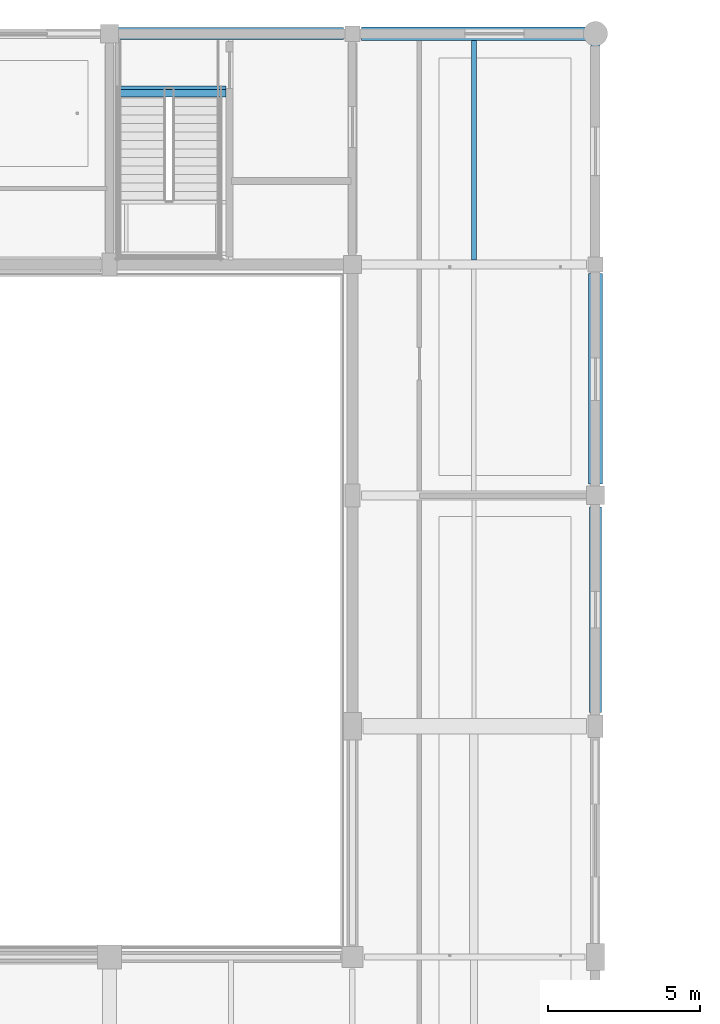
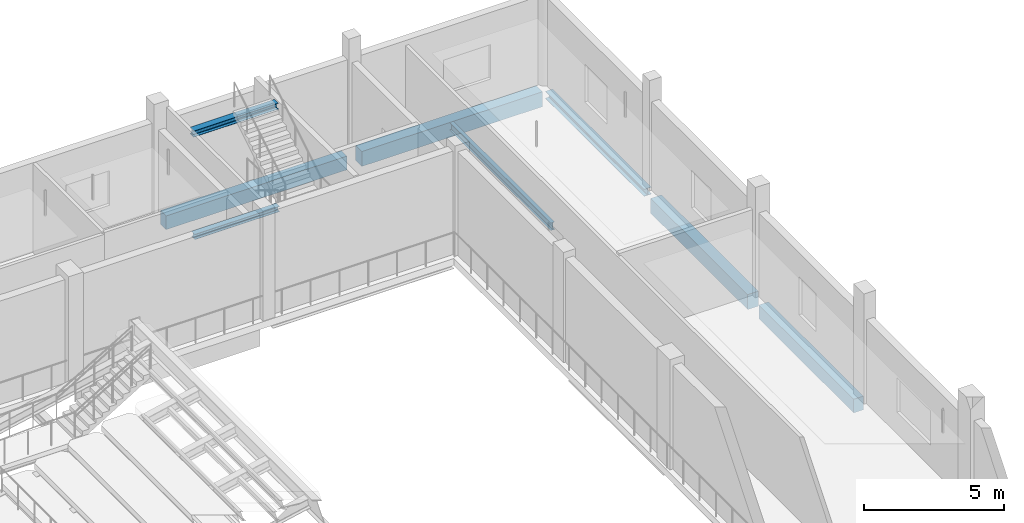
# One storey, part 37 of 147: 8 beams.
"""IFC4 building model written with IfcOpenShell, lengths in metres."""

from ifc_helpers import new_model, si_unit, direction, frame, origin, origin_2d, place, context, subcontext, project, spatial, rectangle, i_section, extrude, material, material_profile, profile_set, type_object, element, save


model = new_model("IFC4")

# Units and contexts
model_context = context("Model", 3, precision=1e-05, world=origin(), true_north=direction((0.0, 1.0)))
body_context = subcontext(model_context, "Body", "Model", "MODEL_VIEW")
ifc_project = project(units=[si_unit("LENGTHUNIT", "METRE"), si_unit("AREAUNIT", "SQUARE_METRE"), si_unit("VOLUMEUNIT", "CUBIC_METRE"), si_unit("PLANEANGLEUNIT", "RADIAN"), si_unit("MASSUNIT", "GRAM", prefix="KILO")], contexts=[model_context])

# Site, building, storey
site_placement = place(None, origin())
site = spatial("IfcSite", under=ifc_project, at=site_placement, CompositionType="ELEMENT")
building_placement = place(site_placement, origin())
building = spatial("IfcBuilding", under=site, at=building_placement, Name="Khelvaren Railside Concert Hall", CompositionType="ELEMENT")
storey_placement = place(building_placement, frame((0.0, 0.0, 5.39990234375)))
storey = spatial("IfcBuildingStorey", under=building, at=storey_placement, Name="L01", CompositionType="ELEMENT", Elevation=5.39990234375)

# Beams
ifc_material_1 = material(Name="Steel S355", Category="steel")
ifc_material_profile_1 = material_profile(ifc_material_1, i_section(OverallWidth=0.239990234375, OverallDepth=0.22998046875, WebThickness=0.007568359375, FlangeThickness=0.011962890625, FilletRadius=0.02099609375, at=origin_2d()), Name="HEA 240")
ifc_profile_set_1 = profile_set([ifc_material_profile_1], Name="Steel S355")
beam_type_1 = type_object("IfcBeamType", Name="BM42", PredefinedType="BEAM", material=ifc_profile_set_1)
beam_1_placement = place(storey_placement, frame((32.344970703125, 112.039306640625, -0.114990234375), z_axis=(1.0, 0.0, 0.0), x_axis=(0.0, 1.0, 0.0)))
element("IfcBeam", 1, at=beam_1_placement, inside=storey, type_object=beam_type_1, Name="ST-08 L01 Stair Foot Trimmer Beam", PredefinedType="BEAM", context=body_context, shape_type="SweptSolid", body=[
    extrude(i_section(OverallWidth=0.239990234375, OverallDepth=0.22998046875, WebThickness=0.007568359375, FlangeThickness=0.011962890625, FilletRadius=0.02099609375, at=origin_2d()), origin(), (0.0, 0.0, 1.0), 3.4951171875),
])
ifc_material_profile_2 = material_profile(ifc_material_1, i_section(OverallWidth=0.280029296875, OverallDepth=0.27001953125, WebThickness=0.008056640625, FlangeThickness=0.012939453125, FilletRadius=0.02392578125, at=origin_2d()), Name="HEA 280")
ifc_profile_set_2 = profile_set([ifc_material_profile_2], Name="Steel S355")
beam_type_2 = type_object("IfcBeamType", Name="BM93", PredefinedType="BEAM", material=ifc_profile_set_2)
beam_2_placement = place(storey_placement, frame((32.344970703125, 112.139892578125, 4.31787109375), z_axis=(1.0, 0.0, 0.0), x_axis=(0.0, 1.0, 0.0)))
element("IfcBeam", 2, at=beam_2_placement, inside=storey, type_object=beam_type_2, Name="ST-08 L01 Stair Top Arrival Trimmer Beam", PredefinedType="BEAM", context=body_context, shape_type="SweptSolid", body=[
    extrude(i_section(OverallWidth=0.280029296875, OverallDepth=0.27001953125, WebThickness=0.008056640625, FlangeThickness=0.012939453125, FilletRadius=0.02392578125, at=origin_2d()), origin(), (0.0, 0.0, 1.0), 3.4951171875),
])
ifc_material_profile_3 = material_profile(ifc_material_1, i_section(OverallWidth=0.159912109375, OverallDepth=0.330078125, WebThickness=0.007568359375, FlangeThickness=0.011474609375, FilletRadius=0.01806640625, at=origin_2d()), Name="IPE 330")
ifc_profile_set_3 = profile_set([ifc_material_profile_3], Name="Steel S355")
beam_type_3 = type_object("IfcBeamType", Name="JS65", PredefinedType="JOIST", material=ifc_profile_set_3)
beam_3_placement = place(storey_placement, frame((44.0, 106.550048828125, -0.46484375), z_axis=(0.0, 1.0, 0.0), x_axis=(-1.0, 0.0, 0.0)))
element("IfcBeam", 3, at=beam_3_placement, inside=storey, type_object=beam_type_3, Name="V4 L01 Secondary Joist 6.6", PredefinedType="JOIST", context=body_context, shape_type="SweptSolid", body=[
    extrude(i_section(OverallWidth=0.159912109375, OverallDepth=0.330078125, WebThickness=0.007568359375, FlangeThickness=0.011474609375, FilletRadius=0.01806640625, at=origin_2d()), origin(), (0.0, 0.0, 1.0), 7.224853515625),
])
ifc_material_2 = material(Name="Concrete C40/50", Category="concrete")
ifc_material_profile_4 = material_profile(ifc_material_2, rectangle(XDim=0.449951171875, YDim=0.64990234375, at=origin_2d()), Name="RCB 450x650")
ifc_profile_set_4 = profile_set([ifc_material_profile_4], Name="Concrete C40/50")
beam_type_4 = type_object("IfcBeamType", Name="SP34", PredefinedType="SPANDREL", material=ifc_profile_set_4)
beam_4_placement = place(storey_placement, frame((40.300048828125, 114.0, -0.625), z_axis=(1.0, 0.0, 0.0), x_axis=(0.0, 1.0, 0.0)))
element("IfcBeam", 4, at=beam_4_placement, inside=storey, type_object=beam_type_4, Name="V4 L01 Spandrel X7.6", PredefinedType="SPANDREL", context=body_context, shape_type="SweptSolid", body=[
    extrude(rectangle(XDim=0.449951171875, YDim=0.64990234375, at=origin_2d()), origin(), (0.0, 0.0, 1.0), 7.449951171875),
])
beam_5_placement = place(storey_placement, frame((48.0, 99.175048828125, -0.625), z_axis=(0.0, 1.0, 0.0), x_axis=(-1.0, 0.0, 0.0)))
element("IfcBeam", 5, at=beam_5_placement, inside=storey, type_object=beam_type_4, Name="V4 L01 Spandrel Y7.5", PredefinedType="SPANDREL", context=body_context, shape_type="SweptSolid", body=[
    extrude(rectangle(XDim=0.449951171875, YDim=0.64990234375, at=origin_2d()), origin(), (0.0, 0.0, 1.0), 6.925048828125),
])
ifc_material_profile_5 = material_profile(ifc_material_1, i_section(OverallWidth=0.300048828125, OverallDepth=0.31005859375, WebThickness=0.009033203125, FlangeThickness=0.015380859375, FilletRadius=0.027099609375, at=origin_2d()), Name="HEA 320")
ifc_profile_set_5 = profile_set([ifc_material_profile_5], Name="Steel S355")
beam_type_5 = type_object("IfcBeamType", Name="SP66", PredefinedType="SPANDREL", material=ifc_profile_set_5)
beam_6_placement = place(storey_placement, frame((48.0, 106.699951171875, -0.454833984375), z_axis=(0.0, 1.0, 0.0), x_axis=(-1.0, 0.0, 0.0)))
element("IfcBeam", 6, at=beam_6_placement, inside=storey, type_object=beam_type_5, Name="V4 L01 Spandrel Y7.6", PredefinedType="SPANDREL", context=body_context, shape_type="SweptSolid", body=[
    extrude(i_section(OverallWidth=0.300048828125, OverallDepth=0.31005859375, WebThickness=0.009033203125, FlangeThickness=0.015380859375, FilletRadius=0.027099609375, at=origin_2d()), origin(), (0.0, 0.0, 1.0), 7.050048828125),
])
ifc_material_profile_6 = material_profile(ifc_material_2, rectangle(XDim=0.39990234375, YDim=0.60009765625, at=origin_2d()), Name="RCB 400x600")
ifc_profile_set_6 = profile_set([ifc_material_profile_6], Name="Concrete C40/50")
beam_type_6 = type_object("IfcBeamType", Name="SP75", PredefinedType="SPANDREL", material=ifc_profile_set_6)
beam_7_placement = place(storey_placement, frame((32.25, 114.0, -0.599853515625), z_axis=(1.0, 0.0, 0.0), x_axis=(0.0, 1.0, 0.0)))
element("IfcBeam", 7, at=beam_7_placement, inside=storey, type_object=beam_type_6, Name="V4 L01 Spandrel X7.5", PredefinedType="SPANDREL", context=body_context, shape_type="SweptSolid", body=[
    extrude(rectangle(XDim=0.39990234375, YDim=0.60009765625, at=origin_2d()), origin(), (0.0, 0.0, 1.0), 7.449951171875),
])
beam_8_placement = place(storey_placement, frame((48.0, 91.64990234375, -0.599853515625), z_axis=(0.0, 1.0, 0.0), x_axis=(-1.0, 0.0, 0.0)))
element("IfcBeam", 8, at=beam_8_placement, inside=storey, type_object=beam_type_6, Name="V4 L01 Spandrel Y7.4", PredefinedType="SPANDREL", context=body_context, shape_type="SweptSolid", body=[
    extrude(rectangle(XDim=0.39990234375, YDim=0.60009765625, at=origin_2d()), origin(), (0.0, 0.0, 1.0), 6.775146484375),
])

save(model, "model.ifc")
